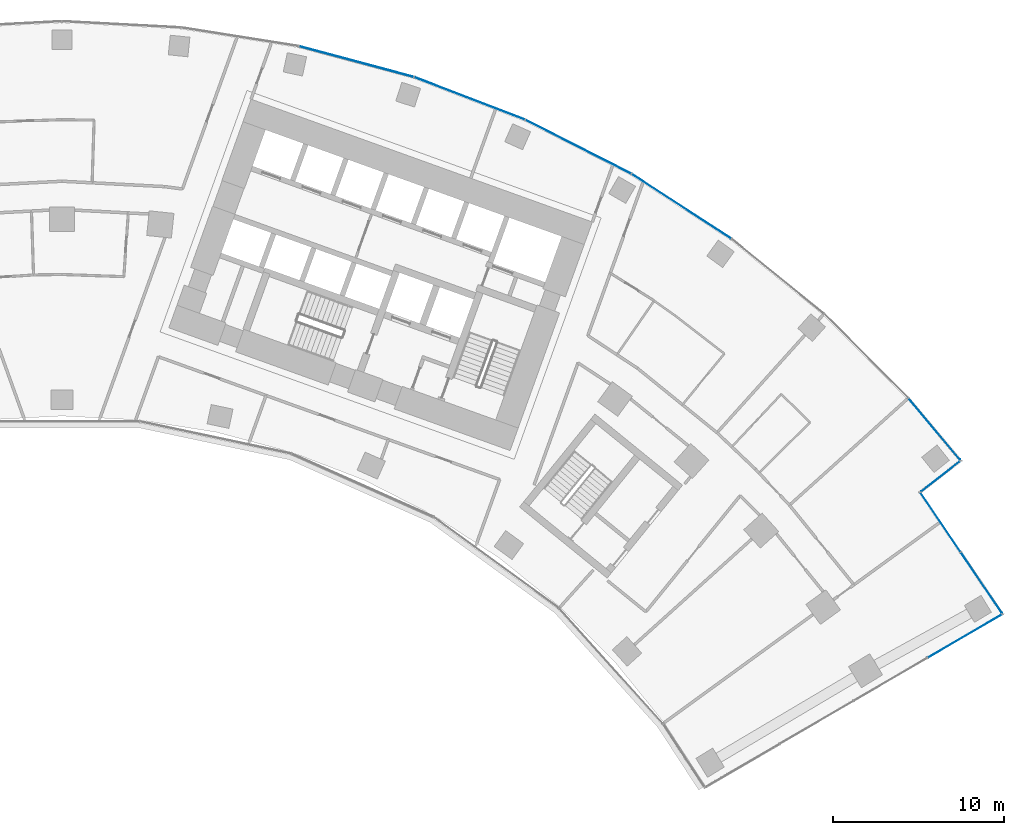
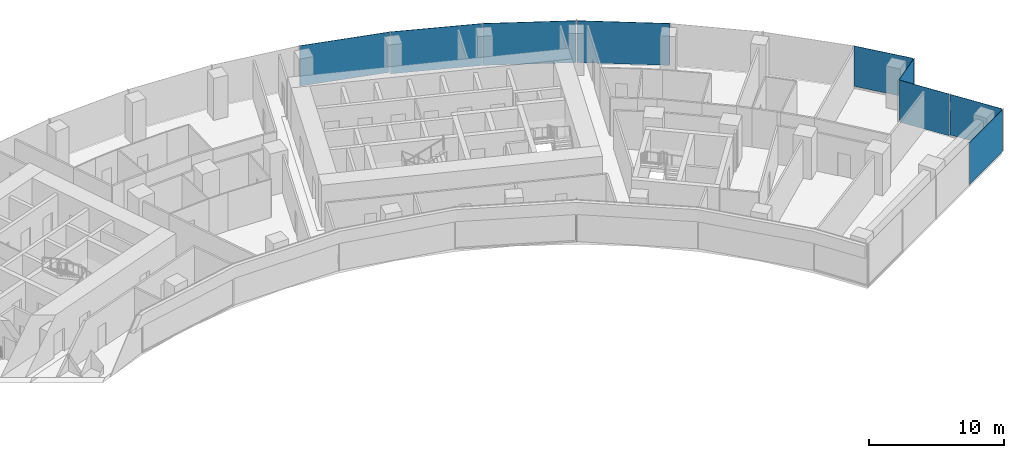
# One storey, part 12 of 21: 9 plates, 4 elements without a shape of their own.
"""IFC4 building model written with IfcOpenShell, lengths in metres."""

from ifc_helpers import new_model, si_unit, direction, frame, origin, origin_2d, place, context, subcontext, project, spatial, rectangle, extrude, material, layer, layer_set, type_object, element, aggregate, save


model = new_model("IFC4")

# Units and contexts
model_context = context("Model", 3, precision=1e-05, world=origin(), true_north=direction((0.0, 1.0)))
body_context = subcontext(model_context, "Body", "Model", "MODEL_VIEW")
ifc_project = project(units=[si_unit("LENGTHUNIT", "METRE"), si_unit("AREAUNIT", "SQUARE_METRE"), si_unit("VOLUMEUNIT", "CUBIC_METRE"), si_unit("PLANEANGLEUNIT", "RADIAN"), si_unit("MASSUNIT", "GRAM", prefix="KILO")], contexts=[model_context])

# Site, building, storey
site_placement = place(None, origin())
site = spatial("IfcSite", under=ifc_project, at=site_placement, CompositionType="ELEMENT")
building_placement = place(site_placement, origin())
building = spatial("IfcBuilding", under=site, at=building_placement, Name="Stone Belt Terrace Tower", CompositionType="ELEMENT")
storey_placement = place(building_placement, frame((0.0, 0.0, 117.39990234375)))
storey = spatial("IfcBuildingStorey", under=building, at=storey_placement, Name="L28", CompositionType="ELEMENT", Elevation=117.39990234375)

# Curtain wall, plates
ifc_material_1 = material(Name="Aluminium 6063-T6 anodised frame", Category="aluminium")
ifc_layer_1 = layer(ifc_material_1, 0.14990234375)
ifc_layer_set_1 = layer_set([ifc_layer_1], Name="CW-A unitised convex-face curtain wall")
curtain_wall_type_1 = type_object("IfcCurtainWallType", Name="CW-A unitised convex-face curtain wall", PredefinedType="NOTDEFINED", material=ifc_layer_set_1)
curtain_wall_1_placement = place(storey_placement, origin())
curtain_wall_1 = element("IfcCurtainWall", 1, at=curtain_wall_1_placement, inside=storey, type_object=curtain_wall_type_1, Name="CW-A convex face L28", PredefinedType="NOTDEFINED")
ifc_material_2 = material(Name="Clear double glazed unit")
ifc_layer_2 = layer(ifc_material_2, 0.031982421875)
ifc_layer_set_2 = layer_set([ifc_layer_2], Name="CW-A glass panel 32")
plate_type_1 = type_object("IfcPlateType", Name="CW-A glass panel 32", PredefinedType="CURTAIN_PANEL", material=ifc_layer_set_2)
plate_1_placement = place(storey_placement, frame((50.993896484375, 42.73583984375, 0.14013671875), z_axis=(0.0, 0.0, 1.0), x_axis=(-0.642509184121, 0.766277983711, 0.0)))
plate_1 = element("IfcPlate", 2, at=plate_1_placement, type_object=plate_type_1, Name="CW-A panel 1.1", PredefinedType="CURTAIN_PANEL", context=body_context, shape_type="SweptSolid", body=[
    extrude(rectangle(XDim=4.662841796875, YDim=0.031982421875, at=origin_2d()), origin(), (0.0, 0.0, 1.0), 3.659912109375),
])
plate_2_placement = place(storey_placement, frame((36.209716796875, 55.758056640625, 0.0), z_axis=(0.0, 0.0, 1.0), x_axis=(-0.838670567945, 0.544639035015, 0.0)))
plate_2 = element("IfcPlate", 3, at=plate_2_placement, type_object=plate_type_1, Name="CW-A panel 4.1", PredefinedType="CURTAIN_PANEL", context=body_context, shape_type="SweptSolid", body=[
    extrude(rectangle(XDim=6.90087890625, YDim=0.031982421875, at=origin_2d()), origin(), (0.0, 0.0, 1.0), 3.800048828125),
])
plate_3_placement = place(storey_placement, frame((30.18310546875, 59.237548828125, 0.0), z_axis=(0.0, 0.0, 1.0), x_axis=(-0.891006524188, 0.45399049974, 0.0)))
plate_3 = element("IfcPlate", 4, at=plate_3_placement, type_object=plate_type_1, Name="CW-A panel 5.1", PredefinedType="CURTAIN_PANEL", context=body_context, shape_type="SweptSolid", body=[
    extrude(rectangle(XDim=6.90087890625, YDim=0.031982421875, at=origin_2d()), origin(), (0.0, 0.0, 1.0), 3.800048828125),
])
plate_4_placement = place(storey_placement, frame((23.82568359375, 62.068115234375, 0.0), z_axis=(0.0, 0.0, 1.0), x_axis=(-0.933580426497, 0.358367949545, 0.0)))
plate_4 = element("IfcPlate", 5, at=plate_4_placement, type_object=plate_type_1, Name="CW-A panel 6.1", PredefinedType="CURTAIN_PANEL", context=body_context, shape_type="SweptSolid", body=[
    extrude(rectangle(XDim=6.90087890625, YDim=0.031982421875, at=origin_2d()), origin(), (0.0, 0.0, 1.0), 3.800048828125),
])
plate_5_placement = place(storey_placement, frame((17.207275390625, 64.218505859375, 0.14013671875), z_axis=(0.0, 0.0, 1.0), x_axis=(-0.965925826289, 0.258819045103, 0.0)))
plate_5 = element("IfcPlate", 6, at=plate_5_placement, type_object=plate_type_1, Name="CW-A panel 7.1", PredefinedType="CURTAIN_PANEL", context=body_context, shape_type="SweptSolid", body=[
    extrude(rectangle(XDim=6.90087890625, YDim=0.031982421875, at=origin_2d()), origin(), (0.0, 0.0, 1.0), 3.659912109375),
])
aggregate(curtain_wall_1, [plate_1, plate_2, plate_3, plate_4, plate_5])

# Curtain wall, plate
ifc_layer_3 = layer(ifc_material_1, 0.14990234375)
ifc_layer_set_3 = layer_set([ifc_layer_3], Name="CW-C stick curtain wall, horn ends and notches")
curtain_wall_type_2 = type_object("IfcCurtainWallType", Name="CW-C stick curtain wall, horn ends and notches", PredefinedType="NOTDEFINED", material=ifc_layer_set_3)
curtain_wall_2_placement = place(storey_placement, origin())
curtain_wall_2 = element("IfcCurtainWall", 7, at=curtain_wall_2_placement, inside=storey, type_object=curtain_wall_type_2, Name="CW-C end face L28", PredefinedType="NOTDEFINED")
ifc_layer_4 = layer(ifc_material_2, 0.028076171875)
ifc_layer_set_4 = layer_set([ifc_layer_4], Name="CW-C glass panel 28")
plate_type_2 = type_object("IfcPlateType", Name="CW-C glass panel 28", PredefinedType="CURTAIN_PANEL", material=ifc_layer_set_4)
plate_6_placement = place(storey_placement, frame((52.771484375, 30.6318359375, 0.0), z_axis=(0.0, 0.0, 1.0), x_axis=(0.864239322284, 0.503080901861, 0.0)))
plate_6 = element("IfcPlate", 8, at=plate_6_placement, type_object=plate_type_2, Name="CW-C panel 4.1", PredefinedType="CURTAIN_PANEL", context=body_context, shape_type="SweptSolid", body=[
    extrude(rectangle(XDim=4.974853515625, YDim=0.028076171875, at=origin_2d()), origin(), (0.0, 0.0, 1.0), 3.800048828125),
])
aggregate(curtain_wall_2, [plate_6])

# Curtain wall, plates
curtain_wall_3_placement = place(storey_placement, origin())
curtain_wall_3 = element("IfcCurtainWall", 9, at=curtain_wall_3_placement, inside=storey, type_object=curtain_wall_type_2, Name="CW-C notch face L28", PredefinedType="NOTDEFINED")
plate_7_placement = place(storey_placement, frame((53.748046875, 33.751220703125, 0.1201171875), z_axis=(0.0, 0.0, 1.0), x_axis=(-0.560367245622, 0.828244257471, 0.0)))
plate_7 = element("IfcPlate", 10, at=plate_7_placement, type_object=plate_type_2, Name="CW-C panel 1.1", PredefinedType="CURTAIN_PANEL", context=body_context, shape_type="SweptSolid", body=[
    extrude(rectangle(XDim=4.268798828125, YDim=0.028076171875, at=origin_2d()), origin(), (0.0, 0.0, 1.0), 3.679931640625),
])
plate_8_placement = place(storey_placement, frame((51.364013671875, 37.275146484375, 0.0), z_axis=(0.0, 0.0, 1.0), x_axis=(-0.560367245622, 0.828244257471, 0.0)))
plate_8 = element("IfcPlate", 11, at=plate_8_placement, type_object=plate_type_2, Name="CW-C panel 2.1", PredefinedType="CURTAIN_PANEL", context=body_context, shape_type="SweptSolid", body=[
    extrude(rectangle(XDim=4.12060546875, YDim=0.028076171875, at=origin_2d()), origin(), (0.0, 0.0, 1.0), 3.800048828125),
])
aggregate(curtain_wall_3, [plate_7, plate_8])

# Curtain wall, plate
curtain_wall_4_placement = place(storey_placement, origin())
curtain_wall_4 = element("IfcCurtainWall", 12, at=curtain_wall_4_placement, inside=storey, type_object=curtain_wall_type_2, Name="CW-C notch face L28", PredefinedType="NOTDEFINED")
plate_9_placement = place(storey_placement, frame((51.353515625, 39.966552734375, 0.1201171875), z_axis=(0.0, 0.0, 1.0), x_axis=(0.788458012337, 0.615088581248, 0.0)))
plate_9 = element("IfcPlate", 13, at=plate_9_placement, type_object=plate_type_2, Name="CW-C panel 1.1", PredefinedType="CURTAIN_PANEL", context=body_context, shape_type="SweptSolid", body=[
    extrude(rectangle(XDim=2.859619140625, YDim=0.028076171875, at=origin_2d()), origin(), (0.0, 0.0, 1.0), 3.679931640625),
])
aggregate(curtain_wall_4, [plate_9])

save(model, "model.ifc")
